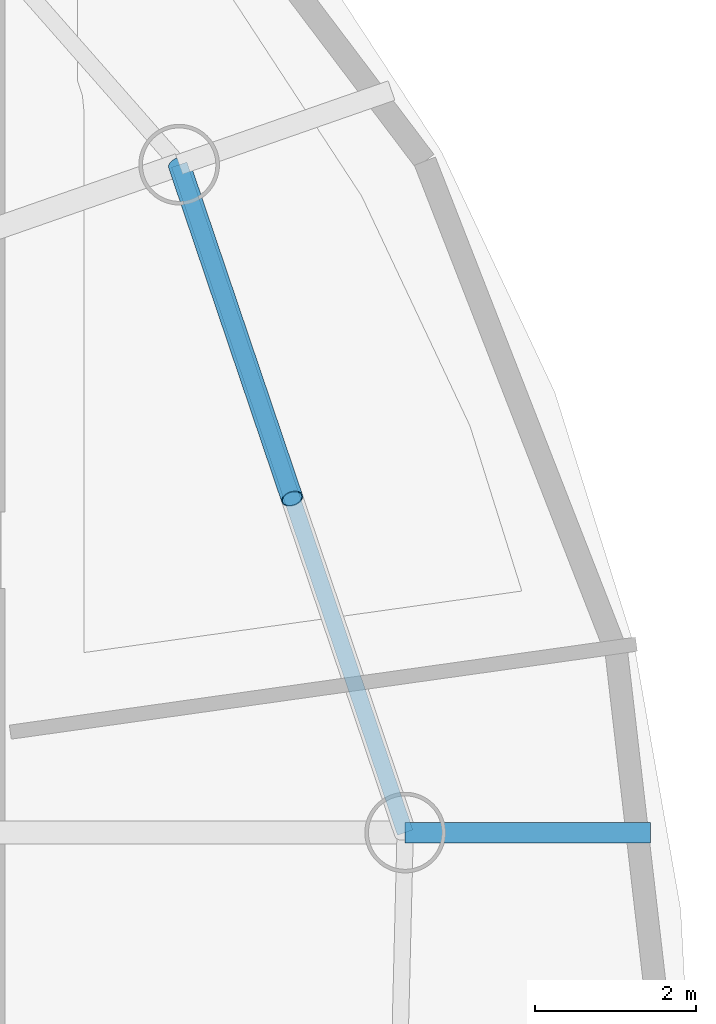
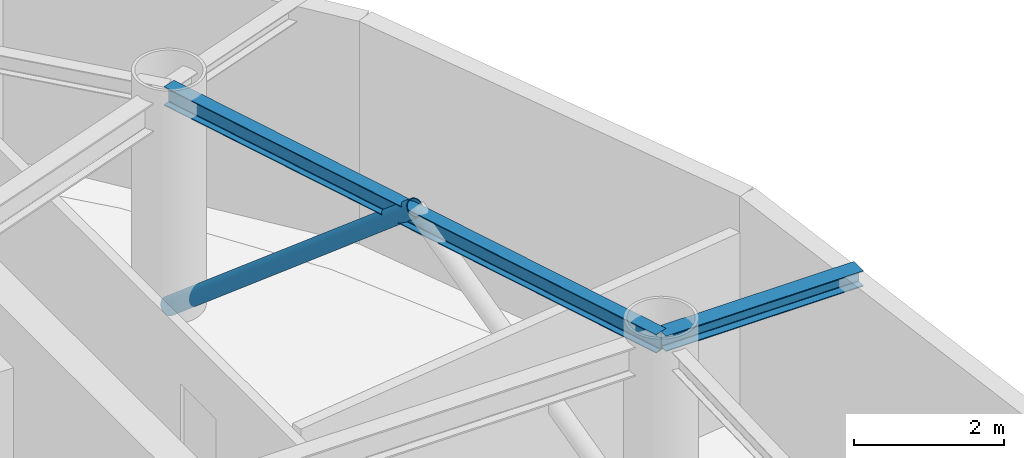
# One storey, part 10 of 20: 2 beams, 1 member.
"""IFC4 building model written with IfcOpenShell, lengths in metres."""

from ifc_helpers import new_model, si_unit, direction, frame, origin, origin_2d, place, context, subcontext, project, spatial, hollow_circle, i_section, extrude, material, material_profile, profile_set, type_object, element, save


model = new_model("IFC4")

# Units and contexts
model_context = context("Model", 3, precision=1e-05, world=origin(), true_north=direction((0.0, 1.0)))
body_context = subcontext(model_context, "Body", "Model", "MODEL_VIEW")
ifc_project = project(units=[si_unit("LENGTHUNIT", "METRE"), si_unit("AREAUNIT", "SQUARE_METRE"), si_unit("VOLUMEUNIT", "CUBIC_METRE"), si_unit("PLANEANGLEUNIT", "RADIAN"), si_unit("MASSUNIT", "GRAM", prefix="KILO")], contexts=[model_context])

# Site, building, storey
site_placement = place(None, origin())
site = spatial("IfcSite", under=ifc_project, at=site_placement, CompositionType="ELEMENT")
building_placement = place(site_placement, origin())
building = spatial("IfcBuilding", under=site, at=building_placement, Name="Bramvorn Convention Spire", CompositionType="ELEMENT")
storey_placement = place(building_placement, frame((0.0, 0.0, 276.699951171875)))
storey = spatial("IfcBuildingStorey", under=building, at=storey_placement, Name="L70", CompositionType="ELEMENT", Elevation=276.699951171875)

# Beams
ifc_material = material(Name="Steel CSA G40.21 Grade 350 (350W)", Category="steel")
ifc_material_profile_1 = material_profile(ifc_material, i_section(OverallWidth=0.25390625, OverallDepth=0.2529296875, WebThickness=0.008544921875, FlangeThickness=0.01416015625, FilletRadius=0.011962890625, at=origin_2d()))
ifc_profile_set_1 = profile_set([ifc_material_profile_1], Name="Steel CSA G40.21 Grade 350 (350W) - W250X73")
beam_type_1 = type_object("IfcBeamType", Name="BM-W250X73", PredefinedType="BEAM", material=ifc_profile_set_1)
beam_1_placement = place(storey_placement, frame((56.234619140625, 26.62939453125, 3.49853515625), z_axis=(1.0, 0.0, 0.0), x_axis=(0.0, 1.0, 0.0)))
element("IfcBeam", 1, at=beam_1_placement, inside=storey, type_object=beam_type_1, Name="L70 slab-edge cantilever tip beam MC04", PredefinedType="BEAM", context=body_context, shape_type="SweptSolid", body=[
    extrude(i_section(OverallWidth=0.25390625, OverallDepth=0.2529296875, WebThickness=0.008544921875, FlangeThickness=0.01416015625, FilletRadius=0.011962890625, at=origin_2d()), origin(), (0.0, 0.0, 1.0), 3.04296875),
])
ifc_material_profile_2 = material_profile(ifc_material, i_section(OverallWidth=0.202880859375, OverallDepth=0.302978515625, WebThickness=0.007568359375, FlangeThickness=0.01318359375, FilletRadius=0.013916015625, at=origin_2d()))
ifc_profile_set_2 = profile_set([ifc_material_profile_2], Name="Steel CSA G40.21 Grade 350 (350W) - W310X60")
beam_type_2 = type_object("IfcBeamType", Name="BM-W310X60", PredefinedType="JOIST", material=ifc_profile_set_2)
beam_2_placement = place(storey_placement, frame((56.234619140625, 26.62939453125, 3.4736328125), z_axis=(-0.320531023763, 0.947238018032, 0.0), x_axis=(-0.947238018032, -0.320531023763, 0.0)))
element("IfcBeam", 2, at=beam_2_placement, inside=storey, type_object=beam_type_2, Name="L70 mega-column ring beam 04", PredefinedType="JOIST", context=body_context, shape_type="SweptSolid", body=[
    extrude(i_section(OverallWidth=0.202880859375, OverallDepth=0.302978515625, WebThickness=0.007568359375, FlangeThickness=0.01318359375, FilletRadius=0.013916015625, at=origin_2d()), origin(), (0.0, 0.0, 1.0), 8.74169921875),
])

# Member
ifc_material_profile_3 = material_profile(ifc_material, hollow_circle(Radius=0.136474609375, WallThickness=0.0126953125, at=origin_2d()))
ifc_profile_set_3 = profile_set([ifc_material_profile_3], Name="Steel CSA G40.21 Grade 350 (350W) - CHS273X13")
member_type = type_object("IfcMemberType", Name="MBR-CHS273X13", PredefinedType="BRACE", material=ifc_profile_set_3)
member_placement = place(storey_placement, frame((53.4326171875, 34.909912109375, 0.0), z_axis=(0.246704664157, -0.729107301286, 0.638388088778), x_axis=(0.947243628259, 0.320514443859, 0.0)))
element("IfcMember", 3, at=member_placement, inside=storey, type_object=member_type, Name="L70 perimeter Gothic lancet brace 4B", PredefinedType="BRACE", context=body_context, shape_type="SweptSolid", body=[
    extrude(hollow_circle(Radius=0.136474609375, WallThickness=0.0126953125, at=origin_2d()), origin(), (0.0, 0.0, 1.0), 5.678466796875),
])

save(model, "model.ifc")
